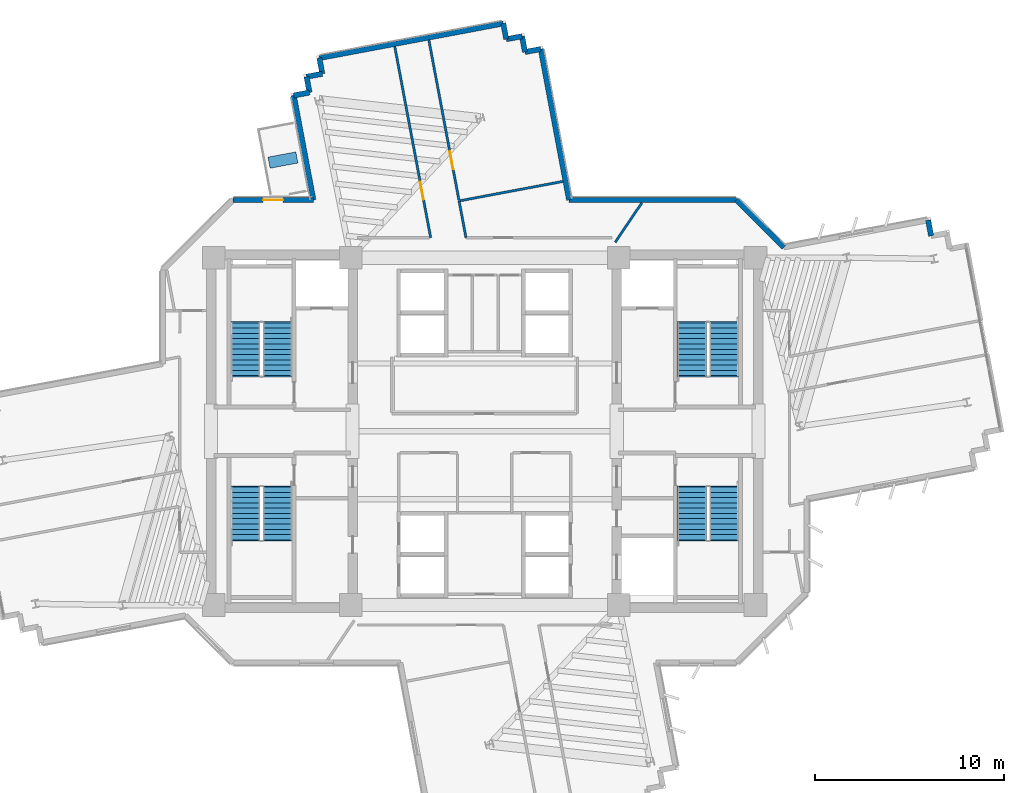
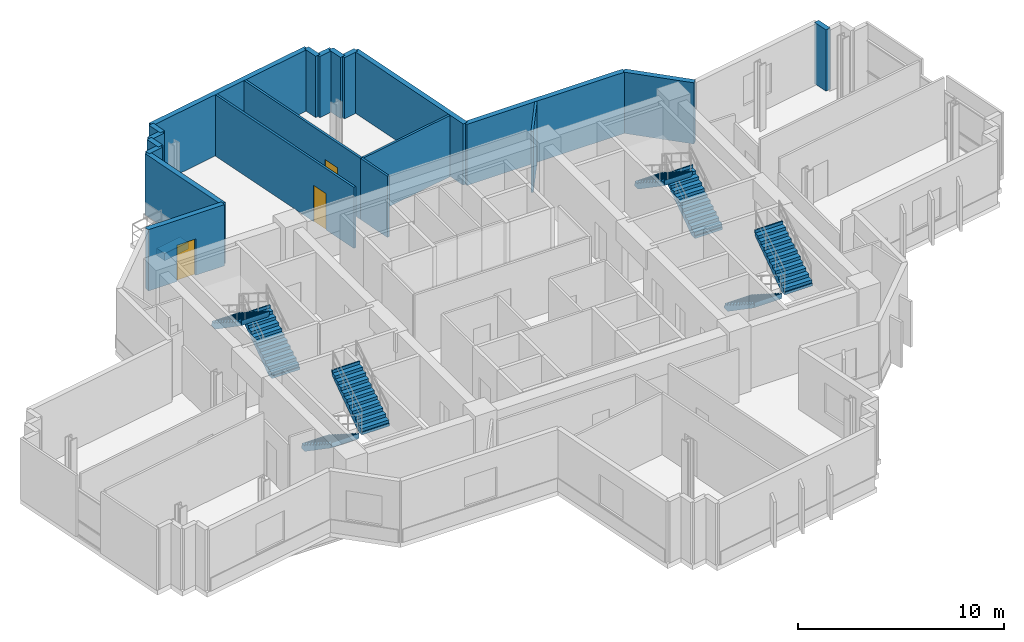
# One storey, part 12 of 16: 20 walls, 8 stair flights, 3 doors, 1 discrete accessory, 3 openings, 4 elements without a shape of their own.
"""IFC4 building model written with IfcOpenShell, lengths in metres."""

from ifc_helpers import new_model, si_unit, direction, frame, frame_2d, origin, origin_2d, place, context, subcontext, project, spatial, polyline, rectangle, outline, extrude, source, transform, mapped, material, layer, layer_set, type_object, element, fill, aggregate, save


model = new_model("IFC4")

# Units and contexts
model_context = context("Model", 3, precision=1e-05, world=origin(), true_north=direction((0.0, 1.0)))
body_context = subcontext(model_context, "Body", "Model", "MODEL_VIEW")
ifc_project = project(units=[si_unit("LENGTHUNIT", "METRE"), si_unit("AREAUNIT", "SQUARE_METRE"), si_unit("VOLUMEUNIT", "CUBIC_METRE"), si_unit("PLANEANGLEUNIT", "RADIAN"), si_unit("MASSUNIT", "GRAM", prefix="KILO")], contexts=[model_context])

# Site, building, storey
site_placement = place(None, origin())
site = spatial("IfcSite", under=ifc_project, at=site_placement, CompositionType="ELEMENT")
building_placement = place(site_placement, origin())
building = spatial("IfcBuilding", under=site, at=building_placement, Name="Zahravan Cultural Tower", CompositionType="ELEMENT")
storey_placement = place(building_placement, frame((0.0, 0.0, 151.199951171875)))
storey = spatial("IfcBuildingStorey", under=building, at=storey_placement, Name="L34", CompositionType="ELEMENT", Elevation=151.199951171875)

# Wall, opening, door
ifc_material_1 = material(Name="Precast concrete C40/50", Category="concrete")
ifc_layer_1 = layer(ifc_material_1, 0.280029296875)
ifc_layer_set_1 = layer_set([ifc_layer_1], Name="Precast concrete C40/50")
wall_type_1 = type_object("IfcWallType", Name="EW-TC-280", PredefinedType="SOLIDWALL", material=ifc_layer_set_1)
wall_1_placement = place(storey_placement, frame((22.657958984375, 39.260009765625, 0.0), z_axis=(0.0, 0.0, 1.0), x_axis=(1.0, 0.0, 0.0)))
wall_1 = element("IfcWall", 1, at=wall_1_placement, inside=storey, type_object=wall_type_1, Name="L34 Exterior Masonry Frame Wall 39", PredefinedType="SOLIDWALL", context=body_context, shape_type="SweptSolid", body=[
    extrude(rectangle(XDim=4.262451171875, YDim=0.280029296875, at=frame_2d((2.13134765625, 0.0))), origin(), (0.0, 0.0, 1.0), 3.6201171875),
])
opening_1_placement = place(wall_1_placement, frame((1.60595703125, 0.0, 0.0)))
opening_1 = element("IfcOpeningElement", 2, at=opening_1_placement, cuts=wall_1, Name="Opening D-L34-TR-NW", PredefinedType="OPENING", context=body_context, shape_type="SweptSolid", body=[
    extrude(rectangle(XDim=1.050048828125, YDim=2.14990234375, at=frame_2d((0.52490234375, 1.074951171875))), frame((0.0, 0.14990234375, 0.0), z_axis=(0.0, -1.0, 0.0), x_axis=(1.0, 0.0, 0.0)), (0.0, 0.0, 1.0), 0.300048828125),
])
ifc_material_2 = material(Name="Anodised bronze-aluminium mullion", Category="aluminium")
door_type_1 = type_object("IfcDoorType", Name="DR-TERR-1050", OperationType="NOTDEFINED", PredefinedType="DOOR", material=ifc_material_2)
shared_shape_1 = source(origin(), body_context, "Body", "SweptSolid", [
    extrude(rectangle(XDim=1.050048828125, YDim=2.14990234375, at=frame_2d((0.52490234375, 1.074951171875))), frame((0.0, 0.02490234375, 0.0), z_axis=(0.0, -1.0, 0.0), x_axis=(1.0, 0.0, 0.0)), (0.0, 0.0, 1.0), 0.050048828125),
])
door_1_placement = place(opening_1_placement, origin())
door_1 = element("IfcDoor", 3, at=door_1_placement, inside=storey, type_object=door_type_1, Name="L34 Terrace Access Door NW", OperationType="SINGLE_SWING_LEFT", OverallHeight=2.14990234375, OverallWidth=1.050048828125, PredefinedType="DOOR", context=body_context, shape_type="MappedRepresentation", body=[
    mapped(shared_shape_1, transform((0.0, 0.0, 0.0), x_axis=(1.0, 0.0, 0.0), y_axis=(0.0, 1.0, 0.0), z_axis=(0.0, 0.0, 1.0), scale=1.0)),
])
fill(opening_1, door_1)

ifc_material_3 = material(Name="Gypsum plasterboard partition")
ifc_layer_2 = layer(ifc_material_3, 0.125)
ifc_layer_set_2 = layer_set([ifc_layer_2], Name="Gypsum plasterboard partition")
wall_type_2 = type_object("IfcWallType", Name="W-PART-125", PredefinedType="PARTITIONING", material=ifc_layer_set_2)
wall_2_placement = place(storey_placement, frame((34.638671875, 39.22900390625, 0.0), z_axis=(0.0, 0.0, 1.0), x_axis=(-0.18463806937, 0.982806584908, 0.0)))
wall_2 = element("IfcWall", 4, at=wall_2_placement, inside=storey, type_object=wall_type_2, Name="L34 Interior Wall 087", PredefinedType="PARTITIONING", context=body_context, shape_type="SweptSolid", body=[
    extrude(rectangle(XDim=8.64501953125, YDim=0.125, at=frame_2d((4.322509765625, 0.0))), origin(), (0.0, 0.0, 1.0), 3.6201171875),
])
opening_2_placement = place(wall_2_placement, frame((1.69287109375, 0.0, 0.0)))
opening_2 = element("IfcOpeningElement", 5, at=opening_2_placement, cuts=wall_2, Name="Opening D-L34-22", PredefinedType="OPENING", context=body_context, shape_type="SweptSolid", body=[
    extrude(rectangle(XDim=0.949951171875, YDim=2.14990234375, at=frame_2d((0.47509765625, 1.074951171875))), frame((0.0, 0.072509765625, 0.0), z_axis=(0.0, -1.0, 0.0), x_axis=(1.0, 0.0, 0.0)), (0.0, 0.0, 1.0), 0.14501953125),
])
door_type_2 = type_object("IfcDoorType", Name="DR-ROOM-950", OperationType="NOTDEFINED", PredefinedType="DOOR", material=ifc_material_2)
shared_shape_2 = source(origin(), body_context, "Body", "SweptSolid", [
    extrude(rectangle(XDim=0.949951171875, YDim=2.14990234375, at=frame_2d((0.47509765625, 1.074951171875))), frame((0.0, 0.02490234375, 0.0), z_axis=(0.0, -1.0, 0.0), x_axis=(1.0, 0.0, 0.0)), (0.0, 0.0, 1.0), 0.050048828125),
])
door_2_placement = place(opening_2_placement, origin())
door_2 = element("IfcDoor", 6, at=door_2_placement, inside=storey, type_object=door_type_2, Name="L34 Door D-L34-22", OperationType="SINGLE_SWING_LEFT", OverallHeight=2.14990234375, OverallWidth=0.949951171875, PredefinedType="DOOR", context=body_context, shape_type="MappedRepresentation", body=[
    mapped(shared_shape_2, transform((0.0, 0.0, 0.0), x_axis=(1.0, 0.0, 0.0), y_axis=(0.0, 1.0, 0.0), z_axis=(0.0, 0.0, 1.0), scale=1.0)),
])
fill(opening_2, door_2)

wall_3_placement = place(storey_placement, frame((31.234130859375, 47.385498046875, 0.0), z_axis=(0.0, 0.0, 1.0), x_axis=(0.184646211839, -0.982805055163, 0.0)))
wall_3 = element("IfcWall", 7, at=wall_3_placement, inside=storey, type_object=wall_type_2, Name="L34 Interior Wall 099", PredefinedType="PARTITIONING", context=body_context, shape_type="SweptSolid", body=[
    extrude(rectangle(XDim=10.302734375, YDim=0.125, at=frame_2d((5.1513671875, 0.0))), origin(), (0.0, 0.0, 1.0), 3.6201171875),
])
opening_3_placement = place(wall_3_placement, frame((7.295166015625, 0.0, 0.0)))
opening_3 = element("IfcOpeningElement", 8, at=opening_3_placement, cuts=wall_3, Name="Opening D-L34-23", PredefinedType="OPENING", context=body_context, shape_type="SweptSolid", body=[
    extrude(rectangle(XDim=0.949951171875, YDim=2.14990234375, at=frame_2d((0.47509765625, 1.074951171875))), frame((0.0, 0.072509765625, 0.0), z_axis=(0.0, -1.0, 0.0), x_axis=(1.0, 0.0, 0.0)), (0.0, 0.0, 1.0), 0.14501953125),
])
door_3_placement = place(opening_3_placement, origin())
door_3 = element("IfcDoor", 9, at=door_3_placement, inside=storey, type_object=door_type_2, Name="L34 Door D-L34-23", OperationType="SINGLE_SWING_RIGHT", OverallHeight=2.14990234375, OverallWidth=0.949951171875, PredefinedType="DOOR", context=body_context, shape_type="MappedRepresentation", body=[
    mapped(shared_shape_2, transform((0.0, 0.0, 0.0), x_axis=(1.0, 0.0, 0.0), y_axis=(0.0, 1.0, 0.0), z_axis=(0.0, 0.0, 1.0), scale=1.0)),
])
fill(opening_3, door_3)

# Walls
shared_shape_3 = source(origin(), body_context, "Body", "SweptSolid", [
    extrude(rectangle(XDim=0.85009765625, YDim=0.280029296875, at=frame_2d((0.425048828125, 0.0))), origin(), (0.0, 0.0, 1.0), 3.6201171875),
])
for number, where, z_axis, x_axis, name in (
    (10, (59.497802734375, 38.19091796875, 0.0), (0.0, 0.0, 1.0), (0.184670010318, -0.982800583684, 0.0), "L34 Exterior Masonry Frame Wall 02"),
    (11, (25.8798828125, 44.79736328125, 0.0), (0.0, 0.0, 1.0), (0.982800583684, 0.184670010318, 0.0), "L34 Exterior Masonry Frame Wall 41"),
    (12, (26.71533203125, 44.954345703125, 0.0), (0.0, 0.0, 1.0), (-0.184670010318, 0.982800583684, 0.0), "L34 Exterior Masonry Frame Wall 42"),
    (13, (26.558349609375, 45.789794921875, 0.0), (0.0, 0.0, 1.0), (0.982800583684, 0.184670010318, 0.0), "L34 Exterior Masonry Frame Wall 43"),
    (14, (27.393798828125, 45.94677734375, 0.0), (0.0, 0.0, 1.0), (-0.184670010318, 0.982800583684, 0.0), "L34 Exterior Masonry Frame Wall 44"),
    (15, (36.986083984375, 48.61376953125, 0.0), (0.0, 0.0, 1.0), (0.184670010318, -0.982800583684, 0.0), "L34 Exterior Masonry Frame Wall 46"),
    (16, (37.14306640625, 47.7783203125, 0.0), (0.0, 0.0, 1.0), (0.982800583684, 0.184670010318, 0.0), "L34 Exterior Masonry Frame Wall 47"),
    (17, (37.978515625, 47.935302734375, 0.0), (0.0, 0.0, 1.0), (0.184670010318, -0.982800583684, 0.0), "L34 Exterior Masonry Frame Wall 48"),
    (18, (38.135498046875, 47.099853515625, 0.0), (0.0, 0.0, 1.0), (0.982800583684, 0.184670010318, 0.0), "L34 Exterior Masonry Frame Wall 49"),
):
    element("IfcWall", number, at=place(storey_placement, frame(where, z_axis=z_axis, x_axis=x_axis)), inside=storey, type_object=wall_type_1, Name=name, PredefinedType="SOLIDWALL", context=body_context, shape_type="MappedRepresentation", body=[
        mapped(shared_shape_3, transform((0.0, 0.0, 0.0), x_axis=(1.0, 0.0, 0.0), y_axis=(0.0, 1.0, 0.0), z_axis=(0.0, 0.0, 1.0), scale=1.0)),
    ])
shared_shape_4 = source(origin(), body_context, "Body", "SweptSolid", [
    extrude(rectangle(XDim=9.919921875, YDim=0.280029296875, at=frame_2d((4.9599609375, 0.0))), origin(), (0.0, 0.0, 1.0), 3.6201171875),
])
wall_4_placement = place(storey_placement, frame((27.23681640625, 46.7822265625, 0.0), z_axis=(0.0, 0.0, 1.0), x_axis=(0.982807207568, 0.184634754994, 0.0)))
element("IfcWall", 19, at=wall_4_placement, inside=storey, type_object=wall_type_1, Name="L34 Exterior Masonry Frame Wall 45", PredefinedType="SOLIDWALL", context=body_context, shape_type="MappedRepresentation", body=[
    mapped(shared_shape_4, transform((0.0, 0.0, 0.0), x_axis=(1.0, 0.0, 0.0), y_axis=(0.0, 1.0, 0.0), z_axis=(0.0, 0.0, 1.0), scale=1.0)),
])
shared_shape_5 = source(origin(), body_context, "Body", "SweptSolid", [
    extrude(rectangle(XDim=5.63427734375, YDim=0.280029296875, at=frame_2d((2.817138671875, 0.0))), origin(), (0.0, 0.0, 1.0), 3.6201171875),
])
wall_5_placement = place(storey_placement, frame((26.92041015625, 39.260009765625, 0.0), z_axis=(0.0, 0.0, 1.0), x_axis=(-0.184678339457, 0.982799018587, 0.0)))
element("IfcWall", 20, at=wall_5_placement, inside=storey, type_object=wall_type_1, Name="L34 Exterior Masonry Frame Wall 40", PredefinedType="SOLIDWALL", context=body_context, shape_type="MappedRepresentation", body=[
    mapped(shared_shape_5, transform((0.0, 0.0, 0.0), x_axis=(1.0, 0.0, 0.0), y_axis=(0.0, 1.0, 0.0), z_axis=(0.0, 0.0, 1.0), scale=1.0)),
])
shared_shape_6 = source(origin(), body_context, "Body", "SweptSolid", [
    extrude(rectangle(XDim=8.13671875, YDim=0.280029296875, at=frame_2d((4.068359375, 0.0))), origin(), (0.0, 0.0, 1.0), 3.6201171875),
])
wall_6_placement = place(storey_placement, frame((38.970947265625, 47.2568359375, 0.0), z_axis=(0.0, 0.0, 1.0), x_axis=(0.184649032166, -0.982804525285, 0.0)))
element("IfcWall", 21, at=wall_6_placement, inside=storey, type_object=wall_type_1, Name="L34 Exterior Masonry Frame Wall 50", PredefinedType="SOLIDWALL", context=body_context, shape_type="MappedRepresentation", body=[
    mapped(shared_shape_6, transform((0.0, 0.0, 0.0), x_axis=(1.0, 0.0, 0.0), y_axis=(0.0, 1.0, 0.0), z_axis=(0.0, 0.0, 1.0), scale=1.0)),
])
shared_shape_7 = source(origin(), body_context, "Body", "SweptSolid", [
    extrude(rectangle(XDim=8.86865234375, YDim=0.280029296875, at=frame_2d((4.434326171875, 0.0))), origin(), (0.0, 0.0, 1.0), 3.6201171875),
])
wall_7_placement = place(storey_placement, frame((40.473388671875, 39.260009765625, 0.0), z_axis=(0.0, 0.0, 1.0), x_axis=(1.0, 0.0, 0.0)))
element("IfcWall", 22, at=wall_7_placement, inside=storey, type_object=wall_type_1, Name="L34 Exterior Masonry Frame Wall 51", PredefinedType="SOLIDWALL", context=body_context, shape_type="MappedRepresentation", body=[
    mapped(shared_shape_7, transform((0.0, 0.0, 0.0), x_axis=(1.0, 0.0, 0.0), y_axis=(0.0, 1.0, 0.0), z_axis=(0.0, 0.0, 1.0), scale=1.0)),
])
shared_shape_8 = source(origin(), body_context, "Body", "SweptSolid", [
    extrude(rectangle(XDim=3.544189453125, YDim=0.280029296875, at=frame_2d((1.77197265625, 0.0))), origin(), (0.0, 0.0, 1.0), 3.6201171875),
])
wall_8_placement = place(storey_placement, frame((49.342041015625, 39.260009765625, 0.0), z_axis=(0.0, 0.0, 1.0), x_axis=(0.707106781187, -0.707106781187, 0.0)))
element("IfcWall", 23, at=wall_8_placement, inside=storey, type_object=wall_type_1, Name="L34 Exterior Masonry Frame Wall 52", PredefinedType="SOLIDWALL", context=body_context, shape_type="MappedRepresentation", body=[
    mapped(shared_shape_8, transform((0.0, 0.0, 0.0), x_axis=(1.0, 0.0, 0.0), y_axis=(0.0, 1.0, 0.0), z_axis=(0.0, 0.0, 1.0), scale=1.0)),
])
shared_shape_9 = source(origin(), body_context, "Body", "SweptSolid", [
    extrude(rectangle(XDim=1.9833984375, YDim=0.125, at=frame_2d((0.99169921875, 0.0))), origin(), (0.0, 0.0, 1.0), 3.6201171875),
])
wall_9_placement = place(storey_placement, frame((35.008544921875, 37.260009765625, 0.0), z_axis=(0.0, 0.0, 1.0), x_axis=(-0.184645271511, 0.982805231828, 0.0)))
element("IfcWall", 24, at=wall_9_placement, inside=storey, type_object=wall_type_2, Name="L34 Interior Wall 077", PredefinedType="PARTITIONING", context=body_context, shape_type="MappedRepresentation", body=[
    mapped(shared_shape_9, transform((0.0, 0.0, 0.0), x_axis=(1.0, 0.0, 0.0), y_axis=(0.0, 1.0, 0.0), z_axis=(0.0, 0.0, 1.0), scale=1.0)),
])
shared_shape_10 = source(origin(), body_context, "Body", "SweptSolid", [
    extrude(rectangle(XDim=5.52734375, YDim=0.125, at=frame_2d((2.763671875, 0.0))), origin(), (0.0, 0.0, 1.0), 3.6201171875),
])
wall_10_placement = place(storey_placement, frame((34.708740234375, 39.2216796875, 0.0), z_axis=(0.0, 0.0, 1.0), x_axis=(0.982808624954, 0.184627210117, 0.0)))
element("IfcWall", 25, at=wall_10_placement, inside=storey, type_object=wall_type_2, Name="L34 Interior Wall 078", PredefinedType="PARTITIONING", context=body_context, shape_type="MappedRepresentation", body=[
    mapped(shared_shape_10, transform((0.0, 0.0, 0.0), x_axis=(1.0, 0.0, 0.0), y_axis=(0.0, 1.0, 0.0), z_axis=(0.0, 0.0, 1.0), scale=1.0)),
])
shared_shape_11 = source(origin(), body_context, "Body", "SweptSolid", [
    extrude(rectangle(XDim=2.529541015625, YDim=0.125, at=frame_2d((1.2646484375, 0.0))), origin(), (0.0, 0.0, 1.0), 3.6201171875),
])
wall_11_placement = place(storey_placement, frame((44.330322265625, 39.114990234375, 0.0), z_axis=(0.0, 0.0, 1.0), x_axis=(-0.560455418396, -0.82818459536, 0.0)))
element("IfcWall", 26, at=wall_11_placement, inside=storey, type_object=wall_type_2, Name="L34 Interior Wall 079", PredefinedType="PARTITIONING", context=body_context, shape_type="MappedRepresentation", body=[
    mapped(shared_shape_11, transform((0.0, 0.0, 0.0), x_axis=(1.0, 0.0, 0.0), y_axis=(0.0, 1.0, 0.0), z_axis=(0.0, 0.0, 1.0), scale=1.0)),
])

# Stair, stair flights
ifc_material_4 = material(Name="Concrete C45/55", Category="concrete")
stair_type = type_object("IfcStairType", Name="STR-DL-1550-390", PredefinedType="HALF_TURN_STAIR", material=ifc_material_4)
stair_1_placement = place(storey_placement, origin())
stair_1 = element("IfcStair", 27, at=stair_1_placement, inside=storey, type_object=stair_type, Name="L34 West Core North Exit Stair ST-W1", PredefinedType="HALF_TURN_STAIR")
stair_flight_type = type_object("IfcStairFlightType", Name="FLG-DL-1550-390", PredefinedType="STRAIGHT", material=ifc_material_4)
stair_flight_1_placement = place(storey_placement, frame((25.02490234375, 29.949951171875, 0.0), z_axis=(0.0, 0.0, 1.0), x_axis=(0.0, 1.0, 0.0)))
stair_flight_1 = element("IfcStairFlight", 28, at=stair_flight_1_placement, type_object=stair_flight_type, Name="ST-W1 flight 1", NumberOfRisers=11, NumberOfTreads=10, PredefinedType="STRAIGHT", RiserHeight=0.177272727, TreadLength=0.28, context=body_context, shape_type="SweptSolid", body=[
    extrude(outline(polyline([(-0.06494140625, -0.139892578125), (-0.06494140625, 0.0), (0.0, 0.0), (0.0, 0.17724609375), (0.280029296875, 0.17724609375), (0.280029296875, 0.3544921875), (0.56005859375, 0.3544921875), (0.56005859375, 0.53173828125), (0.840087890625, 0.53173828125), (0.840087890625, 0.708984375), (1.1201171875, 0.708984375), (1.1201171875, 0.886474609375), (1.39990234375, 0.886474609375), (1.39990234375, 1.063720703125), (1.679931640625, 1.063720703125), (1.679931640625, 1.240966796875), (1.9599609375, 1.240966796875), (1.9599609375, 1.418212890625), (2.239990234375, 1.418212890625), (2.239990234375, 1.595458984375), (2.52001953125, 1.595458984375), (2.52001953125, 1.772705078125), (2.800048828125, 1.772705078125), (2.800048828125, 1.949951171875), (2.864990234375, 1.949951171875), (2.864990234375, 1.800048828125), (2.800048828125, 1.59521484375), (0.2802734375, -0.139892578125), (-0.06494140625, -0.139892578125)])), frame((0.0, 0.77490234375, 0.0), z_axis=(0.0, -1.0, 0.0), x_axis=(1.0, 0.0, 0.0)), (0.0, 0.0, 1.0), 1.550048828125),
])
stair_flight_2_placement = place(storey_placement, frame((23.324951171875, 32.75, 1.949951171875), z_axis=(0.0, 0.0, 1.0), x_axis=(0.0, -1.0, 0.0)))
stair_flight_2 = element("IfcStairFlight", 29, at=stair_flight_2_placement, type_object=stair_flight_type, Name="ST-W1 flight 2", NumberOfRisers=11, NumberOfTreads=10, PredefinedType="STRAIGHT", RiserHeight=0.177272727, TreadLength=0.28, context=body_context, shape_type="SweptSolid", body=[
    extrude(outline(polyline([(-0.06494140625, -0.139892578125), (-0.06494140625, 0.0), (0.0, 0.0), (0.0, 0.17724609375), (0.280029296875, 0.17724609375), (0.280029296875, 0.3544921875), (0.56005859375, 0.3544921875), (0.56005859375, 0.53173828125), (0.840087890625, 0.53173828125), (0.840087890625, 0.708984375), (1.1201171875, 0.708984375), (1.1201171875, 0.886474609375), (1.39990234375, 0.886474609375), (1.39990234375, 1.063720703125), (1.679931640625, 1.063720703125), (1.679931640625, 1.240966796875), (1.9599609375, 1.240966796875), (1.9599609375, 1.418212890625), (2.239990234375, 1.418212890625), (2.239990234375, 1.595458984375), (2.52001953125, 1.595458984375), (2.52001953125, 1.772705078125), (2.800048828125, 1.772705078125), (2.800048828125, 1.949951171875), (2.864990234375, 1.949951171875), (2.864990234375, 1.800048828125), (2.800048828125, 1.59521484375), (0.2802734375, -0.139892578125), (-0.06494140625, -0.139892578125)])), frame((0.0, 0.77490234375, 0.0), z_axis=(0.0, -1.0, 0.0), x_axis=(1.0, 0.0, 0.0)), (0.0, 0.0, 1.0), 1.550048828125),
])
aggregate(stair_1, [stair_flight_1, stair_flight_2])

stair_2_placement = place(storey_placement, origin())
stair_2 = element("IfcStair", 30, at=stair_2_placement, inside=storey, type_object=stair_type, Name="L34 West Core South Exit Stair ST-W2", PredefinedType="HALF_TURN_STAIR")
stair_flight_3_placement = place(storey_placement, frame((23.324951171875, 24.050048828125, 0.0), z_axis=(0.0, 0.0, 1.0), x_axis=(0.0, -1.0, 0.0)))
stair_flight_3 = element("IfcStairFlight", 31, at=stair_flight_3_placement, type_object=stair_flight_type, Name="ST-W2 flight 1", NumberOfRisers=11, NumberOfTreads=10, PredefinedType="STRAIGHT", RiserHeight=0.177272727, TreadLength=0.28, context=body_context, shape_type="SweptSolid", body=[
    extrude(outline(polyline([(-0.06494140625, -0.139892578125), (-0.06494140625, 0.0), (0.0, 0.0), (0.0, 0.17724609375), (0.280029296875, 0.17724609375), (0.280029296875, 0.3544921875), (0.56005859375, 0.3544921875), (0.56005859375, 0.53173828125), (0.840087890625, 0.53173828125), (0.840087890625, 0.708984375), (1.1201171875, 0.708984375), (1.1201171875, 0.886474609375), (1.39990234375, 0.886474609375), (1.39990234375, 1.063720703125), (1.679931640625, 1.063720703125), (1.679931640625, 1.240966796875), (1.9599609375, 1.240966796875), (1.9599609375, 1.418212890625), (2.239990234375, 1.418212890625), (2.239990234375, 1.595458984375), (2.52001953125, 1.595458984375), (2.52001953125, 1.772705078125), (2.800048828125, 1.772705078125), (2.800048828125, 1.949951171875), (2.864990234375, 1.949951171875), (2.864990234375, 1.800048828125), (2.800048828125, 1.59521484375), (0.2802734375, -0.139892578125), (-0.06494140625, -0.139892578125)])), frame((0.0, 0.77490234375, 0.0), z_axis=(0.0, -1.0, 0.0), x_axis=(1.0, 0.0, 0.0)), (0.0, 0.0, 1.0), 1.550048828125),
])
stair_flight_4_placement = place(storey_placement, frame((25.02490234375, 21.25, 1.949951171875), z_axis=(0.0, 0.0, 1.0), x_axis=(0.0, 1.0, 0.0)))
stair_flight_4 = element("IfcStairFlight", 32, at=stair_flight_4_placement, type_object=stair_flight_type, Name="ST-W2 flight 2", NumberOfRisers=11, NumberOfTreads=10, PredefinedType="STRAIGHT", RiserHeight=0.177272727, TreadLength=0.28, context=body_context, shape_type="SweptSolid", body=[
    extrude(outline(polyline([(-0.06494140625, -0.139892578125), (-0.06494140625, 0.0), (0.0, 0.0), (0.0, 0.17724609375), (0.280029296875, 0.17724609375), (0.280029296875, 0.3544921875), (0.56005859375, 0.3544921875), (0.56005859375, 0.53173828125), (0.840087890625, 0.53173828125), (0.840087890625, 0.708984375), (1.1201171875, 0.708984375), (1.1201171875, 0.886474609375), (1.39990234375, 0.886474609375), (1.39990234375, 1.063720703125), (1.679931640625, 1.063720703125), (1.679931640625, 1.240966796875), (1.9599609375, 1.240966796875), (1.9599609375, 1.418212890625), (2.239990234375, 1.418212890625), (2.239990234375, 1.595458984375), (2.52001953125, 1.595458984375), (2.52001953125, 1.772705078125), (2.800048828125, 1.772705078125), (2.800048828125, 1.949951171875), (2.864990234375, 1.949951171875), (2.864990234375, 1.800048828125), (2.800048828125, 1.59521484375), (0.2802734375, -0.139892578125), (-0.06494140625, -0.139892578125)])), frame((0.0, 0.77490234375, 0.0), z_axis=(0.0, -1.0, 0.0), x_axis=(1.0, 0.0, 0.0)), (0.0, 0.0, 1.0), 1.550048828125),
])
aggregate(stair_2, [stair_flight_3, stair_flight_4])

stair_3_placement = place(storey_placement, origin())
stair_3 = element("IfcStair", 33, at=stair_3_placement, inside=storey, type_object=stair_type, Name="L34 East Core North Exit Stair ST-E1", PredefinedType="HALF_TURN_STAIR")
stair_flight_5_placement = place(storey_placement, frame((48.675048828125, 29.949951171875, 0.0), z_axis=(0.0, 0.0, 1.0), x_axis=(0.0, 1.0, 0.0)))
stair_flight_5 = element("IfcStairFlight", 34, at=stair_flight_5_placement, type_object=stair_flight_type, Name="ST-E1 flight 1", NumberOfRisers=11, NumberOfTreads=10, PredefinedType="STRAIGHT", RiserHeight=0.177272727, TreadLength=0.28, context=body_context, shape_type="SweptSolid", body=[
    extrude(outline(polyline([(-0.06494140625, -0.139892578125), (-0.06494140625, 0.0), (0.0, 0.0), (0.0, 0.17724609375), (0.280029296875, 0.17724609375), (0.280029296875, 0.3544921875), (0.56005859375, 0.3544921875), (0.56005859375, 0.53173828125), (0.840087890625, 0.53173828125), (0.840087890625, 0.708984375), (1.1201171875, 0.708984375), (1.1201171875, 0.886474609375), (1.39990234375, 0.886474609375), (1.39990234375, 1.063720703125), (1.679931640625, 1.063720703125), (1.679931640625, 1.240966796875), (1.9599609375, 1.240966796875), (1.9599609375, 1.418212890625), (2.239990234375, 1.418212890625), (2.239990234375, 1.595458984375), (2.52001953125, 1.595458984375), (2.52001953125, 1.772705078125), (2.800048828125, 1.772705078125), (2.800048828125, 1.949951171875), (2.864990234375, 1.949951171875), (2.864990234375, 1.800048828125), (2.800048828125, 1.59521484375), (0.2802734375, -0.139892578125), (-0.06494140625, -0.139892578125)])), frame((0.0, 0.77490234375, 0.0), z_axis=(0.0, -1.0, 0.0), x_axis=(1.0, 0.0, 0.0)), (0.0, 0.0, 1.0), 1.550048828125),
])
stair_flight_6_placement = place(storey_placement, frame((46.97509765625, 32.75, 1.949951171875), z_axis=(0.0, 0.0, 1.0), x_axis=(0.0, -1.0, 0.0)))
stair_flight_6 = element("IfcStairFlight", 35, at=stair_flight_6_placement, type_object=stair_flight_type, Name="ST-E1 flight 2", NumberOfRisers=11, NumberOfTreads=10, PredefinedType="STRAIGHT", RiserHeight=0.177272727, TreadLength=0.28, context=body_context, shape_type="SweptSolid", body=[
    extrude(outline(polyline([(-0.06494140625, -0.139892578125), (-0.06494140625, 0.0), (0.0, 0.0), (0.0, 0.17724609375), (0.280029296875, 0.17724609375), (0.280029296875, 0.3544921875), (0.56005859375, 0.3544921875), (0.56005859375, 0.53173828125), (0.840087890625, 0.53173828125), (0.840087890625, 0.708984375), (1.1201171875, 0.708984375), (1.1201171875, 0.886474609375), (1.39990234375, 0.886474609375), (1.39990234375, 1.063720703125), (1.679931640625, 1.063720703125), (1.679931640625, 1.240966796875), (1.9599609375, 1.240966796875), (1.9599609375, 1.418212890625), (2.239990234375, 1.418212890625), (2.239990234375, 1.595458984375), (2.52001953125, 1.595458984375), (2.52001953125, 1.772705078125), (2.800048828125, 1.772705078125), (2.800048828125, 1.949951171875), (2.864990234375, 1.949951171875), (2.864990234375, 1.800048828125), (2.800048828125, 1.59521484375), (0.2802734375, -0.139892578125), (-0.06494140625, -0.139892578125)])), frame((0.0, 0.77490234375, 0.0), z_axis=(0.0, -1.0, 0.0), x_axis=(1.0, 0.0, 0.0)), (0.0, 0.0, 1.0), 1.550048828125),
])
aggregate(stair_3, [stair_flight_5, stair_flight_6])

stair_4_placement = place(storey_placement, origin())
stair_4 = element("IfcStair", 36, at=stair_4_placement, inside=storey, type_object=stair_type, Name="L34 East Core South Exit Stair ST-E2", PredefinedType="HALF_TURN_STAIR")
stair_flight_7_placement = place(storey_placement, frame((46.97509765625, 24.050048828125, 0.0), z_axis=(0.0, 0.0, 1.0), x_axis=(0.0, -1.0, 0.0)))
stair_flight_7 = element("IfcStairFlight", 37, at=stair_flight_7_placement, type_object=stair_flight_type, Name="ST-E2 flight 1", NumberOfRisers=11, NumberOfTreads=10, PredefinedType="STRAIGHT", RiserHeight=0.177272727, TreadLength=0.28, context=body_context, shape_type="SweptSolid", body=[
    extrude(outline(polyline([(-0.06494140625, -0.139892578125), (-0.06494140625, 0.0), (0.0, 0.0), (0.0, 0.17724609375), (0.280029296875, 0.17724609375), (0.280029296875, 0.3544921875), (0.56005859375, 0.3544921875), (0.56005859375, 0.53173828125), (0.840087890625, 0.53173828125), (0.840087890625, 0.708984375), (1.1201171875, 0.708984375), (1.1201171875, 0.886474609375), (1.39990234375, 0.886474609375), (1.39990234375, 1.063720703125), (1.679931640625, 1.063720703125), (1.679931640625, 1.240966796875), (1.9599609375, 1.240966796875), (1.9599609375, 1.418212890625), (2.239990234375, 1.418212890625), (2.239990234375, 1.595458984375), (2.52001953125, 1.595458984375), (2.52001953125, 1.772705078125), (2.800048828125, 1.772705078125), (2.800048828125, 1.949951171875), (2.864990234375, 1.949951171875), (2.864990234375, 1.800048828125), (2.800048828125, 1.59521484375), (0.2802734375, -0.139892578125), (-0.06494140625, -0.139892578125)])), frame((0.0, 0.77490234375, 0.0), z_axis=(0.0, -1.0, 0.0), x_axis=(1.0, 0.0, 0.0)), (0.0, 0.0, 1.0), 1.550048828125),
])
stair_flight_8_placement = place(storey_placement, frame((48.675048828125, 21.25, 1.949951171875), z_axis=(0.0, 0.0, 1.0), x_axis=(0.0, 1.0, 0.0)))
stair_flight_8 = element("IfcStairFlight", 38, at=stair_flight_8_placement, type_object=stair_flight_type, Name="ST-E2 flight 2", NumberOfRisers=11, NumberOfTreads=10, PredefinedType="STRAIGHT", RiserHeight=0.177272727, TreadLength=0.28, context=body_context, shape_type="SweptSolid", body=[
    extrude(outline(polyline([(-0.06494140625, -0.139892578125), (-0.06494140625, 0.0), (0.0, 0.0), (0.0, 0.17724609375), (0.280029296875, 0.17724609375), (0.280029296875, 0.3544921875), (0.56005859375, 0.3544921875), (0.56005859375, 0.53173828125), (0.840087890625, 0.53173828125), (0.840087890625, 0.708984375), (1.1201171875, 0.708984375), (1.1201171875, 0.886474609375), (1.39990234375, 0.886474609375), (1.39990234375, 1.063720703125), (1.679931640625, 1.063720703125), (1.679931640625, 1.240966796875), (1.9599609375, 1.240966796875), (1.9599609375, 1.418212890625), (2.239990234375, 1.418212890625), (2.239990234375, 1.595458984375), (2.52001953125, 1.595458984375), (2.52001953125, 1.772705078125), (2.800048828125, 1.772705078125), (2.800048828125, 1.949951171875), (2.864990234375, 1.949951171875), (2.864990234375, 1.800048828125), (2.800048828125, 1.59521484375), (0.2802734375, -0.139892578125), (-0.06494140625, -0.139892578125)])), frame((0.0, 0.77490234375, 0.0), z_axis=(0.0, -1.0, 0.0), x_axis=(1.0, 0.0, 0.0)), (0.0, 0.0, 1.0), 1.550048828125),
])
aggregate(stair_4, [stair_flight_7, stair_flight_8])

# Discrete accessory
ifc_material_5 = material(Name="Planted soil and terracotta planter", Category="masonry")
discrete_accessory_type = type_object("IfcDiscreteAccessoryType", Name="ACC-PLANTER-TC", PredefinedType="USERDEFINED", material=ifc_material_5)
shared_shape_12 = source(origin(), body_context, "Body", "SweptSolid", [
    extrude(rectangle(XDim=1.5, YDim=0.60009765625, at=origin_2d()), origin(), (0.0, 0.0, 1.0), 0.419921875),
])
discrete_accessory_placement = place(storey_placement, frame((25.309814453125, 41.373291015625, 0.0), z_axis=(0.0, 0.0, 1.0), x_axis=(0.982806687355, 0.184637524056, 0.0)))
element("IfcDiscreteAccessory", 39, at=discrete_accessory_placement, inside=storey, type_object=discrete_accessory_type, Name="L34 Terracotta Sculpture Planter NW", ObjectType="PLANTER", PredefinedType="USERDEFINED", context=body_context, shape_type="MappedRepresentation", body=[
    mapped(shared_shape_12, transform((0.0, 0.0, 0.0), x_axis=(1.0, 0.0, 0.0), y_axis=(0.0, 1.0, 0.0), z_axis=(0.0, 0.0, 1.0), scale=1.0)),
])

save(model, "model.ifc")
